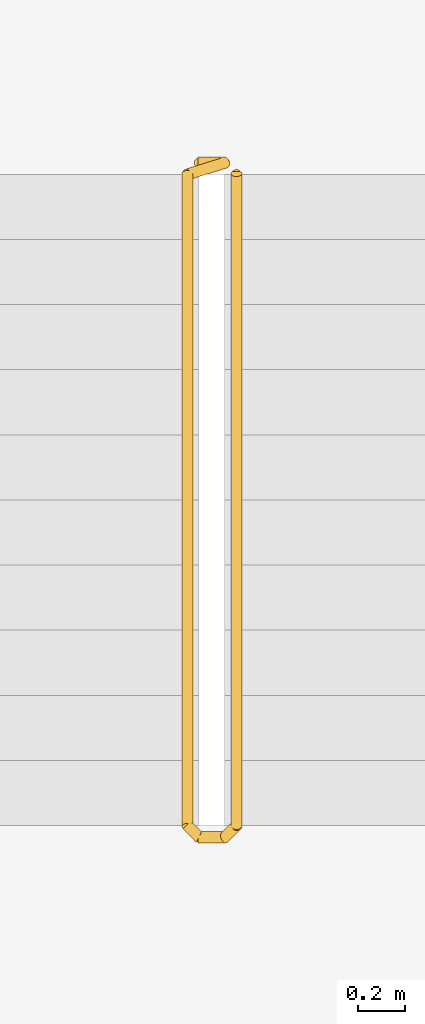
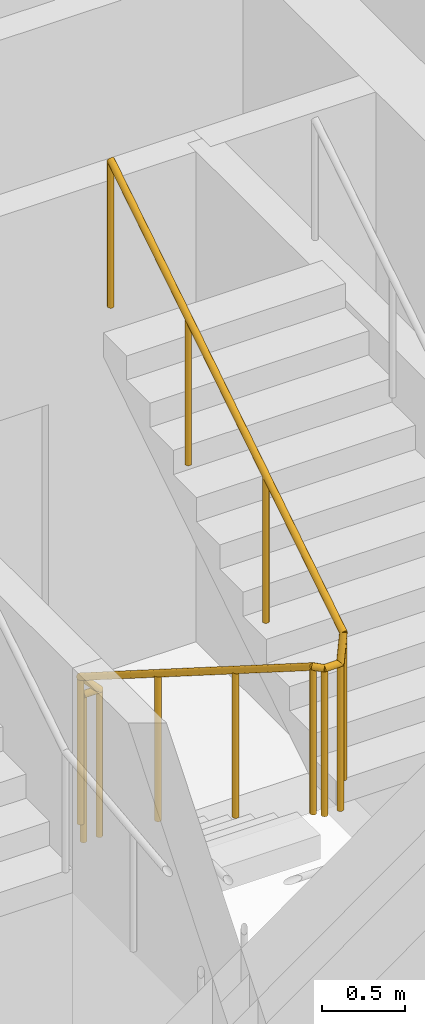
# One storey, part 11 of 11: 1 railing.
"""IFC4 building model written with IfcOpenShell, lengths in metres."""

import ifcopenshell
import ifcopenshell.guid

model = None  # the IFC model being written
_history = None  # IfcOwnerHistory: only IFC2X3 demands one
_inside = {}  # id of a spatial element -> (the spatial element, [elements in it])
_under = {}  # id of a project, library or spatial element -> (it, [spatial elements below it])
_declared = {}  # id of a project -> (the project, [libraries it declares])
_typed = {}  # id of a type object -> (the type object, [elements of that type])
_made_of = {}  # id of a material, layer set ... -> (it, [elements and type objects made of it])


def new_model(schema):
    """Start an empty IFC model of exactly this schema.

    Asked for "IFC4X3", IfcOpenShell would pick the latest addendum, in which some entities
    have other attributes; the version numbers below select the first issue.
    IFC2X3 requires an IfcOwnerHistory on every rooted entity: one is made here for all.
    """
    global model, _history
    if schema == "IFC4X3":
        model = ifcopenshell.file(schema_version=(4, 3, 0, 0))
    else:
        model = ifcopenshell.file(schema=schema)
    _inside.clear()
    _under.clear()
    _declared.clear()
    _typed.clear()
    _made_of.clear()
    _history = None
    if model.schema == "IFC2X3":
        org = make("IfcOrganization", Name="unknown")
        user = make(
            "IfcPersonAndOrganization",
            ThePerson=make("IfcPerson", FamilyName="unknown"),
            TheOrganization=org,
        )
        app = make(
            "IfcApplication",
            ApplicationDeveloper=org,
            Version="unknown",
            ApplicationFullName="unknown",
            ApplicationIdentifier="unknown",
        )
        _history = make(
            "IfcOwnerHistory",
            OwningUser=user,
            OwningApplication=app,
            ChangeAction="ADDED",
            CreationDate=0,
        )
    return model


def make(cls, **values):
    """One entity of the class cls with the attributes given. An attribute that is None is left unset."""
    return model.create_entity(
        cls, **{name: value for name, value in values.items() if value is not None}
    )


def rooted(cls, **values):
    """An entity with a GlobalId (a new one), such as an element, a storey or a relation."""
    return make(cls, GlobalId=ifcopenshell.guid.new(), OwnerHistory=_history, **values)


def si_unit(unit_type, name, prefix=None):
    """IfcSIUnit, for example si_unit("LENGTHUNIT", "METRE", prefix="MILLI")."""
    return make("IfcSIUnit", UnitType=unit_type, Prefix=prefix, Name=name)


def assignment(units):
    """IfcUnitAssignment: the units of a project."""
    return None if units is None else make("IfcUnitAssignment", Units=units)


def point(xyz):
    """IfcCartesianPoint."""
    return None if xyz is None else make("IfcCartesianPoint", Coordinates=xyz)


def direction(xyz):
    """IfcDirection."""
    return None if xyz is None else make("IfcDirection", DirectionRatios=xyz)


def frame(location, z_axis=None, x_axis=None):
    """IfcAxis2Placement3D, a coordinate frame: its origin and axes. An axis left out is left unset."""
    return make(
        "IfcAxis2Placement3D",
        Location=point(location),
        Axis=direction(z_axis),
        RefDirection=direction(x_axis),
    )


def frame_2d(location, x_axis=None):
    """IfcAxis2Placement2D, a coordinate frame in the plane: its origin and x axis."""
    return make(
        "IfcAxis2Placement2D", Location=point(location), RefDirection=direction(x_axis)
    )


def origin():
    """The frame at (0, 0, 0) with its axes left unset."""
    return frame((0.0, 0.0, 0.0))


def origin_2d():
    """The frame at (0, 0) in the plane with its x axis left unset."""
    return frame_2d((0.0, 0.0))


def place(relative_to, where):
    """IfcLocalPlacement: puts the frame where relative to a parent placement (None: the world)."""
    return make(
        "IfcLocalPlacement", PlacementRelTo=relative_to, RelativePlacement=where
    )


def context(
    kind, dimensions, precision=None, world=None, true_north=None, identifier=None
):
    """IfcGeometricRepresentationContext, for example the 3D "Model" context."""
    return make(
        "IfcGeometricRepresentationContext",
        ContextIdentifier=identifier,
        ContextType=kind,
        CoordinateSpaceDimension=dimensions,
        Precision=precision,
        WorldCoordinateSystem=world,
        TrueNorth=true_north,
    )


def subcontext(parent, identifier, kind, view, scale=None):
    """IfcGeometricRepresentationSubContext, for example "Body" below "Model"."""
    return make(
        "IfcGeometricRepresentationSubContext",
        ContextIdentifier=identifier,
        ContextType=kind,
        ParentContext=parent,
        TargetScale=scale,
        TargetView=view,
    )


def project(units=None, contexts=None):
    """IfcProject with its units and contexts."""
    return rooted(
        "IfcProject",
        Name="project",
        RepresentationContexts=contexts,
        UnitsInContext=assignment(units),
    )


def spatial(cls, under=None, at=None, **own):
    """A site, building, storey or space (cls), placed at a placement, below another one or the project."""
    s = rooted(cls, ObjectPlacement=at, **own)
    if under is not None:
        _under.setdefault(under.id(), (under, []))[1].append(s)
    return s


def profile(cls, at=None, kind="AREA", **sizes):
    """A parametric profile (cls). Its sizes go by their IFC names, for example OverallWidth=200.0."""
    return make(cls, ProfileType=kind, Position=at, **sizes)


def circle(**sizes):
    """IfcCircleProfileDef."""
    return profile("IfcCircleProfileDef", **sizes)


def extrude(swept, where, along, depth):
    """IfcExtrudedAreaSolid: the profile swept, set in the frame where, extruded along a direction by depth."""
    return make(
        "IfcExtrudedAreaSolid",
        SweptArea=swept,
        Position=where,
        ExtrudedDirection=direction(along),
        Depth=depth,
    )


def shape(context_of_items, identifier, shape_type, items):
    """IfcShapeRepresentation: the items that make up one representation, for example the "Body"."""
    return make(
        "IfcShapeRepresentation",
        ContextOfItems=context_of_items,
        RepresentationIdentifier=identifier,
        RepresentationType=shape_type,
        Items=items,
    )


def material(Name=None, Category=None):
    """IfcMaterial."""
    return make("IfcMaterial", Name=Name, Category=Category)


def made_of(thing, what):
    """Note that an element or type object is made of a material, layer set ...; save() writes the relation."""
    if what is not None:
        _made_of.setdefault(what.id(), (what, []))[1].append(thing)
    return thing


def type_object(cls, material=None, **own):
    """A type object (cls), such as IfcWallType, which elements share."""
    return made_of(rooted(cls, **own), material)


def element(
    cls,
    number,
    at=None,
    inside=None,
    cuts=None,
    type_object=None,
    material=None,
    context=None,
    identifier="Body",
    shape_type=None,
    held_by="IfcProductDefinitionShape",
    body=None,
    shapes=None,
    **own,
):
    """One element of the class cls, such as IfcWall. Its Tag is "e" and its number.

    at: its placement. inside: the storey or other place that contains it. cuts: it is an
    opening in that element (IfcRelVoidsElement). A single representation is given by context,
    identifier, shape_type and body (its items); several are given by shapes. held_by: the class
    of the entity that holds the representations. save() writes the other relations.
    """
    e = rooted(cls, Tag="e%d" % number, ObjectPlacement=at, **own)
    if body is not None:
        shapes = [shape(context, identifier, shape_type, body)]
    if shapes is not None:
        e.Representation = make(held_by, Representations=shapes)
    if inside is not None:
        _inside.setdefault(inside.id(), (inside, []))[1].append(e)
    if cuts is not None:
        rooted(
            "IfcRelVoidsElement", RelatingBuildingElement=cuts, RelatedOpeningElement=e
        )
    if type_object is not None:
        _typed.setdefault(type_object.id(), (type_object, []))[1].append(e)
    return made_of(e, material)


def aggregate(whole, parts):
    """IfcRelAggregates: a whole, such as a stair, and the parts it consists of."""
    return rooted("IfcRelAggregates", RelatingObject=whole, RelatedObjects=parts)


def save(model, path):
    """Write the relations noted so far, then the file.

    IfcRelAggregates (storeys below a building ...), IfcRelContainedInSpatialStructure (elements
    in a storey), IfcRelDefinesByType, IfcRelAssociatesMaterial and IfcRelDeclares: one each for
    every whole, place, type object, material and project.
    """
    for whole, parts in _under.values():
        aggregate(whole, parts)
    for where, things in _inside.values():
        rooted(
            "IfcRelContainedInSpatialStructure",
            RelatedElements=things,
            RelatingStructure=where,
        )
    for kind, things in _typed.values():
        rooted("IfcRelDefinesByType", RelatedObjects=things, RelatingType=kind)
    for what, things in _made_of.values():
        rooted("IfcRelAssociatesMaterial", RelatedObjects=things, RelatingMaterial=what)
    for by, libraries in _declared.values():
        rooted("IfcRelDeclares", RelatingContext=by, RelatedDefinitions=libraries)
    model.write(path)


model = new_model("IFC4")

# Units and contexts
model_context = context("Model", 3, precision=1e-05, world=origin(), true_north=direction((0.0, 1.0)))
body_context = subcontext(model_context, "Body", "Model", "MODEL_VIEW")
ifc_project = project(units=[si_unit("LENGTHUNIT", "METRE"), si_unit("AREAUNIT", "SQUARE_METRE"), si_unit("VOLUMEUNIT", "CUBIC_METRE"), si_unit("PLANEANGLEUNIT", "RADIAN"), si_unit("MASSUNIT", "GRAM", prefix="KILO")], contexts=[model_context])

# Site, building, storey
site_placement = place(None, origin())
site = spatial("IfcSite", under=ifc_project, at=site_placement, CompositionType="ELEMENT")
building_placement = place(site_placement, origin())
building = spatial("IfcBuilding", under=site, at=building_placement, Name="Tessera Arch", CompositionType="ELEMENT")
storey_placement = place(building_placement, frame((0.0, 0.0, 211.10009765625)))
storey = spatial("IfcBuildingStorey", under=building, at=storey_placement, Name="L50", CompositionType="ELEMENT", Elevation=211.10009765625)

# Railing
ifc_material = material(Name="Painted steel balustrade", Category="steel")
railing_type = type_object("IfcRailingType", Name="Stair guard 1100", PredefinedType="GUARDRAIL", material=ifc_material)
railing_placement = place(storey_placement, frame((44.919921875, 43.6298828125, 0.0)))
element("IfcRailing", 1, at=railing_placement, inside=storey, type_object=railing_type, Name="L50 S1c stair guard 1", PredefinedType="GUARDRAIL", context=body_context, shape_type="SweptSolid", body=[
    extrude(circle(Radius=0.02392578125, at=origin_2d()), frame((-0.00390625, 0.0, 1.076171875), z_axis=(1.0, 0.0, 0.0), x_axis=(0.0, 1.0, 0.0)), (0.0, 0.0, 1.0), 0.1181640625),
    extrude(circle(Radius=0.02392578125, at=origin_2d()), frame((0.11279296875, 0.000732421875, 1.0732421875), z_axis=(-0.65574896516, -0.204233265485, 0.726830150696), x_axis=(0.297361876254, -0.954764847777, 0.0)), (0.0, 0.0, 1.0), 0.251953125),
    extrude(circle(Radius=0.02392578125, at=origin_2d()), frame((-0.0498046875, -0.04638671875, 1.251220703125), z_axis=(0.0, -0.844908973607, 0.534910110503), x_axis=(1.0, 0.0, 0.0)), (0.0, 0.0, 1.0), 3.322021484375),
    extrude(circle(Radius=0.02392578125, at=origin_2d()), frame((-0.052734375, -2.846923828125, 3.02587890625), z_axis=(0.705375805398, -0.708833529934, 0.0), x_axis=(0.708833529934, 0.705375805398, 0.0)), (0.0, 0.0, 1.0), 0.07861328125),
    extrude(circle(Radius=0.02392578125, at=origin_2d()), frame((-0.00390625, -2.89990234375, 3.02587890625), z_axis=(1.0, 0.0, 0.0), x_axis=(0.0, 1.0, 0.0)), (0.0, 0.0, 1.0), 0.1181640625),
    extrude(circle(Radius=0.02392578125, at=origin_2d()), frame((0.109130859375, -2.90087890625, 3.022216796875), z_axis=(0.262233686654, 0.262233686654, 0.928691007369), x_axis=(-0.707106781187, 0.707106781187, 0.0)), (0.0, 0.0, 1.0), 0.198974609375),
    extrude(circle(Radius=0.02392578125, at=origin_2d()), frame((0.16015625, -2.853271484375, 3.201171875), z_axis=(0.0, 0.844908973607, 0.534910110503), x_axis=(-1.0, 0.0, 0.0)), (0.0, 0.0, 1.0), 3.322021484375),
    extrude(circle(Radius=0.02099609375, at=origin_2d()), origin(), (0.0, 0.0, 1.0), 1.06396484375),
    extrude(circle(Radius=0.02099609375, at=origin_2d()), frame((0.110107421875, 0.0, 0.0)), (0.0, 0.0, 1.0), 1.06396484375),
    extrude(circle(Radius=0.02099609375, at=origin_2d()), frame((-0.0498046875, -0.0498046875, 0.17724609375)), (0.0, 0.0, 1.0), 1.06396484375),
    extrude(circle(Radius=0.02099609375, at=origin_2d()), frame((-0.0498046875, -0.983154296875, 0.76806640625)), (0.0, 0.0, 1.0), 1.06396484375),
    extrude(circle(Radius=0.02099609375, at=origin_2d()), frame((-0.0498046875, -1.91650390625, 1.359130859375)), (0.0, 0.0, 1.0), 1.06396484375),
    extrude(circle(Radius=0.02099609375, at=origin_2d()), frame((-0.0498046875, -2.849853515625, 1.949951171875)), (0.0, 0.0, 1.0), 1.06396484375),
    extrude(circle(Radius=0.02099609375, at=origin_2d()), frame((0.0, -2.89990234375, 1.949951171875)), (0.0, 0.0, 1.0), 1.06396484375),
    extrude(circle(Radius=0.02099609375, at=origin_2d()), frame((0.110107421875, -2.89990234375, 1.949951171875)), (0.0, 0.0, 1.0), 1.06396484375),
    extrude(circle(Radius=0.02099609375, at=origin_2d()), frame((0.16015625, -2.849853515625, 2.127197265625)), (0.0, 0.0, 1.0), 1.06396484375),
    extrude(circle(Radius=0.02099609375, at=origin_2d()), frame((0.16015625, -1.91650390625, 2.718017578125)), (0.0, 0.0, 1.0), 1.06396484375),
    extrude(circle(Radius=0.02099609375, at=origin_2d()), frame((0.16015625, -0.983154296875, 3.30908203125)), (0.0, 0.0, 1.0), 1.06396484375),
    extrude(circle(Radius=0.02099609375, at=origin_2d()), frame((0.16015625, -0.0498046875, 3.89990234375)), (0.0, 0.0, 1.0), 1.06396484375),
])

save(model, "model.ifc")
